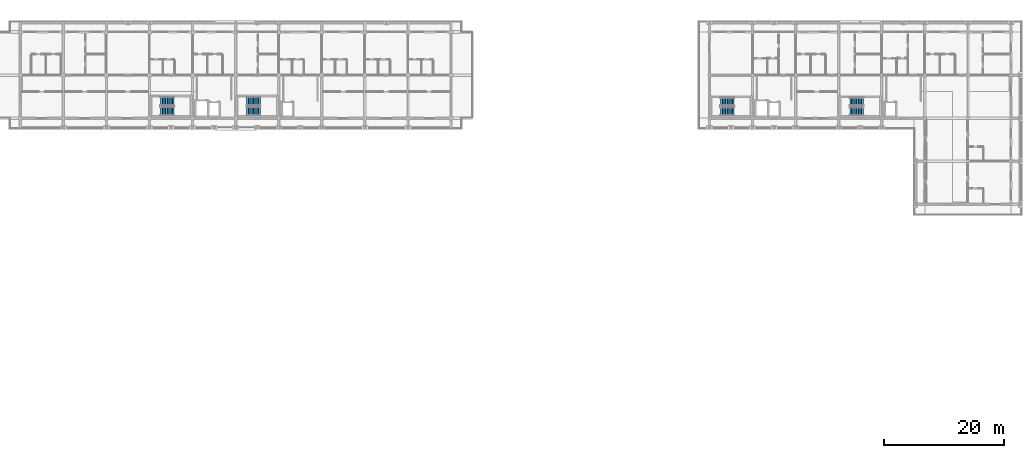
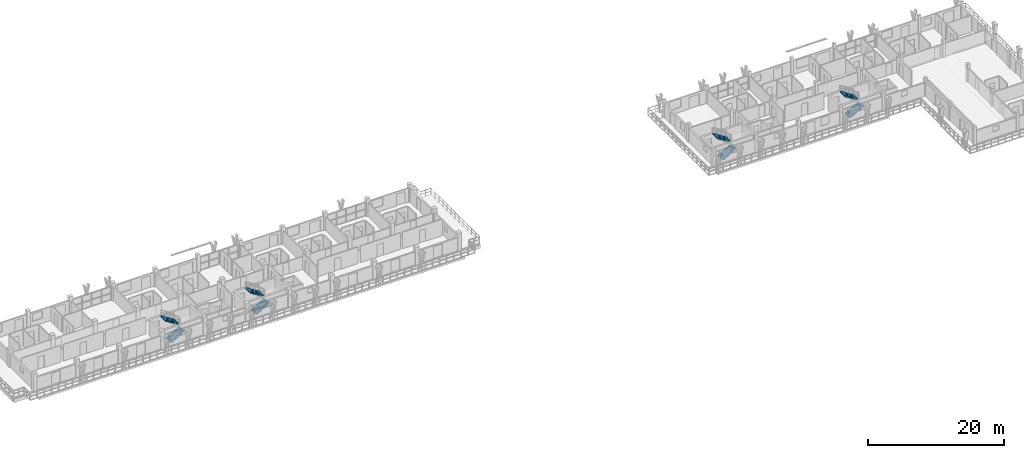
# One storey, part 44 of 56: 8 stair flights, 4 elements without a shape of their own.
"""IFC4 building model written with IfcOpenShell, lengths in metres."""

from ifc_helpers import new_model, si_unit, direction, frame, origin, place, context, subcontext, project, spatial, polyline, outline, extrude, material, type_object, element, aggregate, save


model = new_model("IFC4")

# Units and contexts
model_context = context("Model", 3, precision=1e-05, world=origin(), true_north=direction((0.0, 1.0)))
body_context = subcontext(model_context, "Body", "Model", "MODEL_VIEW")
ifc_project = project(units=[si_unit("LENGTHUNIT", "METRE"), si_unit("AREAUNIT", "SQUARE_METRE"), si_unit("VOLUMEUNIT", "CUBIC_METRE"), si_unit("PLANEANGLEUNIT", "RADIAN"), si_unit("MASSUNIT", "GRAM", prefix="KILO")], contexts=[model_context])

# Site, building, storey
site_placement = place(None, origin())
site = spatial("IfcSite", under=ifc_project, at=site_placement, CompositionType="ELEMENT")
building_placement = place(site_placement, origin())
building = spatial("IfcBuilding", under=site, at=building_placement, Name="Suanplinth Sawtooth Commons", CompositionType="ELEMENT")
storey_placement = place(building_placement, frame((0.0, 0.0, 34.800048828125)))
storey = spatial("IfcBuildingStorey", under=building, at=storey_placement, Name="L10", CompositionType="ELEMENT", Elevation=34.800048828125)

# Stair, stair flights
ifc_material = material(Name="Concrete C40/50", Category="concrete")
stair_type_1 = type_object("IfcStairType", Name="ST-03", PredefinedType="USERDEFINED", material=ifc_material)
stair_1_placement = place(storey_placement, origin())
stair_1 = element("IfcStair", 1, at=stair_1_placement, inside=storey, type_object=stair_type_1, Name="L10 Exit Stair ST-N1", ObjectType="TWO_RETURN_STAIR", PredefinedType="USERDEFINED")
stair_flight_type_1 = type_object("IfcStairFlightType", Name="SF-04", PredefinedType="STRAIGHT", material=ifc_material)
stair_flight_1_placement = place(storey_placement, frame((45.050048828125, 109.175048828125, 0.0), z_axis=(0.0, 0.0, 1.0), x_axis=(1.0, 0.0, 0.0)))
stair_flight_1 = element("IfcStairFlight", 2, at=stair_flight_1_placement, type_object=stair_flight_type_1, Name="ST-03 flight 1", NumberOfRisers=9, NumberOfTreads=8, PredefinedType="STRAIGHT", RiserHeight=0.177777778, TreadLength=0.285, context=body_context, shape_type="SweptSolid", body=[
    extrude(outline(polyline([(0.0, 0.0), (0.0, 0.177734375), (0.284912109375, 0.177734375), (0.284912109375, 0.35546875), (0.570068359375, 0.35546875), (0.570068359375, 0.533447265625), (0.85498046875, 0.533447265625), (0.85498046875, 0.711181640625), (1.139892578125, 0.711181640625), (1.139892578125, 0.888916015625), (1.425048828125, 0.888916015625), (1.425048828125, 1.066650390625), (1.7099609375, 1.066650390625), (1.7099609375, 1.244384765625), (1.9951171875, 1.244384765625), (1.9951171875, 1.422119140625), (2.280029296875, 1.422119140625), (2.280029296875, 1.60009765625), (2.280029296875, 1.233642578125), (0.30224609375, 0.0), (0.0, 0.0)])), frame((0.0, 0.72509765625, 0.0), z_axis=(0.0, -1.0, 0.0), x_axis=(1.0, 0.0, 0.0)), (0.0, 0.0, 1.0), 1.449951171875),
])
stair_flight_2_placement = place(storey_placement, frame((47.330078125, 110.824951171875, 1.599853515625), z_axis=(0.0, 0.0, 1.0), x_axis=(-1.0, 0.0, 0.0)))
stair_flight_2 = element("IfcStairFlight", 3, at=stair_flight_2_placement, type_object=stair_flight_type_1, Name="ST-03 flight 2", NumberOfRisers=9, NumberOfTreads=8, PredefinedType="STRAIGHT", RiserHeight=0.177777778, TreadLength=0.285, context=body_context, shape_type="SweptSolid", body=[
    extrude(outline(polyline([(0.0, 0.0), (0.0, 0.177734375), (0.284912109375, 0.177734375), (0.284912109375, 0.35546875), (0.570068359375, 0.35546875), (0.570068359375, 0.533447265625), (0.85498046875, 0.533447265625), (0.85498046875, 0.711181640625), (1.139892578125, 0.711181640625), (1.139892578125, 0.888916015625), (1.425048828125, 0.888916015625), (1.425048828125, 1.066650390625), (1.7099609375, 1.066650390625), (1.7099609375, 1.244384765625), (1.9951171875, 1.244384765625), (1.9951171875, 1.422119140625), (2.280029296875, 1.422119140625), (2.280029296875, 1.60009765625), (2.280029296875, 1.233642578125), (0.30224609375, 0.0), (0.0, 0.0)])), frame((0.0, 0.72509765625, 0.0), z_axis=(0.0, -1.0, 0.0), x_axis=(1.0, 0.0, 0.0)), (0.0, 0.0, 1.0), 1.449951171875),
])
aggregate(stair_1, [stair_flight_1, stair_flight_2])

stair_2_placement = place(storey_placement, origin())
stair_2 = element("IfcStair", 4, at=stair_2_placement, inside=storey, type_object=stair_type_1, Name="L10 Exit Stair ST-N2", ObjectType="TWO_RETURN_STAIR", PredefinedType="USERDEFINED")
stair_flight_3_placement = place(storey_placement, frame((59.449951171875, 109.175048828125, 0.0), z_axis=(0.0, 0.0, 1.0), x_axis=(1.0, 0.0, 0.0)))
stair_flight_3 = element("IfcStairFlight", 5, at=stair_flight_3_placement, type_object=stair_flight_type_1, Name="ST-03 flight 1", NumberOfRisers=9, NumberOfTreads=8, PredefinedType="STRAIGHT", RiserHeight=0.177777778, TreadLength=0.285, context=body_context, shape_type="SweptSolid", body=[
    extrude(outline(polyline([(0.0, 0.0), (0.0, 0.177734375), (0.284912109375, 0.177734375), (0.284912109375, 0.35546875), (0.570068359375, 0.35546875), (0.570068359375, 0.533447265625), (0.85498046875, 0.533447265625), (0.85498046875, 0.711181640625), (1.139892578125, 0.711181640625), (1.139892578125, 0.888916015625), (1.425048828125, 0.888916015625), (1.425048828125, 1.066650390625), (1.7099609375, 1.066650390625), (1.7099609375, 1.244384765625), (1.9951171875, 1.244384765625), (1.9951171875, 1.422119140625), (2.280029296875, 1.422119140625), (2.280029296875, 1.60009765625), (2.280029296875, 1.233642578125), (0.30224609375, 0.0), (0.0, 0.0)])), frame((0.0, 0.72509765625, 0.0), z_axis=(0.0, -1.0, 0.0), x_axis=(1.0, 0.0, 0.0)), (0.0, 0.0, 1.0), 1.449951171875),
])
stair_flight_4_placement = place(storey_placement, frame((61.72998046875, 110.824951171875, 1.599853515625), z_axis=(0.0, 0.0, 1.0), x_axis=(-1.0, 0.0, 0.0)))
stair_flight_4 = element("IfcStairFlight", 6, at=stair_flight_4_placement, type_object=stair_flight_type_1, Name="ST-03 flight 2", NumberOfRisers=9, NumberOfTreads=8, PredefinedType="STRAIGHT", RiserHeight=0.177777778, TreadLength=0.285, context=body_context, shape_type="SweptSolid", body=[
    extrude(outline(polyline([(0.0, 0.0), (0.0, 0.177734375), (0.284912109375, 0.177734375), (0.284912109375, 0.35546875), (0.570068359375, 0.35546875), (0.570068359375, 0.533447265625), (0.85498046875, 0.533447265625), (0.85498046875, 0.711181640625), (1.139892578125, 0.711181640625), (1.139892578125, 0.888916015625), (1.425048828125, 0.888916015625), (1.425048828125, 1.066650390625), (1.7099609375, 1.066650390625), (1.7099609375, 1.244384765625), (1.9951171875, 1.244384765625), (1.9951171875, 1.422119140625), (2.280029296875, 1.422119140625), (2.280029296875, 1.60009765625), (2.280029296875, 1.233642578125), (0.30224609375, 0.0), (0.0, 0.0)])), frame((0.0, 0.72509765625, 0.0), z_axis=(0.0, -1.0, 0.0), x_axis=(1.0, 0.0, 0.0)), (0.0, 0.0, 1.0), 1.449951171875),
])
aggregate(stair_2, [stair_flight_3, stair_flight_4])

stair_type_2 = type_object("IfcStairType", Name="ST-07", PredefinedType="USERDEFINED", material=ifc_material)
stair_3_placement = place(storey_placement, origin())
stair_3 = element("IfcStair", 7, at=stair_3_placement, inside=storey, type_object=stair_type_2, Name="L10 Exit Stair ST-E1", ObjectType="TWO_RETURN_STAIR", PredefinedType="USERDEFINED")
stair_flight_type_2 = type_object("IfcStairFlightType", Name="SF-08", PredefinedType="STRAIGHT", material=ifc_material)
stair_flight_5_placement = place(storey_placement, frame((138.64990234375, 109.14990234375, 0.0), z_axis=(0.0, 0.0, 1.0), x_axis=(1.0, 0.0, 0.0)))
stair_flight_5 = element("IfcStairFlight", 8, at=stair_flight_5_placement, type_object=stair_flight_type_2, Name="ST-07 flight 1", NumberOfRisers=9, NumberOfTreads=8, PredefinedType="STRAIGHT", RiserHeight=0.177777778, TreadLength=0.285, context=body_context, shape_type="SweptSolid", body=[
    extrude(outline(polyline([(0.0, 0.0), (0.0, 0.177734375), (0.284912109375, 0.177734375), (0.284912109375, 0.35546875), (0.570068359375, 0.35546875), (0.570068359375, 0.533447265625), (0.85498046875, 0.533447265625), (0.85498046875, 0.711181640625), (1.139892578125, 0.711181640625), (1.139892578125, 0.888916015625), (1.425048828125, 0.888916015625), (1.425048828125, 1.066650390625), (1.7099609375, 1.066650390625), (1.7099609375, 1.244384765625), (1.9951171875, 1.244384765625), (1.9951171875, 1.422119140625), (2.280029296875, 1.422119140625), (2.280029296875, 1.60009765625), (2.280029296875, 1.233642578125), (0.30224609375, 0.0), (0.0, 0.0)])), frame((0.0, 0.699951171875, 0.0), z_axis=(0.0, -1.0, 0.0), x_axis=(1.0, 0.0, 0.0)), (0.0, 0.0, 1.0), 1.39990234375),
])
stair_flight_6_placement = place(storey_placement, frame((140.929931640625, 110.75, 1.599853515625), z_axis=(0.0, 0.0, 1.0), x_axis=(-1.0, 0.0, 0.0)))
stair_flight_6 = element("IfcStairFlight", 9, at=stair_flight_6_placement, type_object=stair_flight_type_2, Name="ST-07 flight 2", NumberOfRisers=9, NumberOfTreads=8, PredefinedType="STRAIGHT", RiserHeight=0.177777778, TreadLength=0.285, context=body_context, shape_type="SweptSolid", body=[
    extrude(outline(polyline([(0.0, 0.0), (0.0, 0.177734375), (0.284912109375, 0.177734375), (0.284912109375, 0.35546875), (0.570068359375, 0.35546875), (0.570068359375, 0.533447265625), (0.85498046875, 0.533447265625), (0.85498046875, 0.711181640625), (1.139892578125, 0.711181640625), (1.139892578125, 0.888916015625), (1.425048828125, 0.888916015625), (1.425048828125, 1.066650390625), (1.7099609375, 1.066650390625), (1.7099609375, 1.244384765625), (1.9951171875, 1.244384765625), (1.9951171875, 1.422119140625), (2.280029296875, 1.422119140625), (2.280029296875, 1.60009765625), (2.280029296875, 1.233642578125), (0.30224609375, 0.0), (0.0, 0.0)])), frame((0.0, 0.699951171875, 0.0), z_axis=(0.0, -1.0, 0.0), x_axis=(1.0, 0.0, 0.0)), (0.0, 0.0, 1.0), 1.39990234375),
])
aggregate(stair_3, [stair_flight_5, stair_flight_6])

stair_4_placement = place(storey_placement, origin())
stair_4 = element("IfcStair", 10, at=stair_4_placement, inside=storey, type_object=stair_type_2, Name="L10 Exit Stair ST-E2", ObjectType="TWO_RETURN_STAIR", PredefinedType="USERDEFINED")
stair_flight_7_placement = place(storey_placement, frame((160.25, 109.14990234375, 0.0), z_axis=(0.0, 0.0, 1.0), x_axis=(1.0, 0.0, 0.0)))
stair_flight_7 = element("IfcStairFlight", 11, at=stair_flight_7_placement, type_object=stair_flight_type_2, Name="ST-07 flight 1", NumberOfRisers=9, NumberOfTreads=8, PredefinedType="STRAIGHT", RiserHeight=0.177777778, TreadLength=0.285, context=body_context, shape_type="SweptSolid", body=[
    extrude(outline(polyline([(0.0, 0.0), (0.0, 0.177734375), (0.284912109375, 0.177734375), (0.284912109375, 0.35546875), (0.570068359375, 0.35546875), (0.570068359375, 0.533447265625), (0.85498046875, 0.533447265625), (0.85498046875, 0.711181640625), (1.139892578125, 0.711181640625), (1.139892578125, 0.888916015625), (1.425048828125, 0.888916015625), (1.425048828125, 1.066650390625), (1.7099609375, 1.066650390625), (1.7099609375, 1.244384765625), (1.9951171875, 1.244384765625), (1.9951171875, 1.422119140625), (2.280029296875, 1.422119140625), (2.280029296875, 1.60009765625), (2.280029296875, 1.233642578125), (0.30224609375, 0.0), (0.0, 0.0)])), frame((0.0, 0.699951171875, 0.0), z_axis=(0.0, -1.0, 0.0), x_axis=(1.0, 0.0, 0.0)), (0.0, 0.0, 1.0), 1.39990234375),
])
stair_flight_8_placement = place(storey_placement, frame((162.530029296875, 110.75, 1.599853515625), z_axis=(0.0, 0.0, 1.0), x_axis=(-1.0, 0.0, 0.0)))
stair_flight_8 = element("IfcStairFlight", 12, at=stair_flight_8_placement, type_object=stair_flight_type_2, Name="ST-07 flight 2", NumberOfRisers=9, NumberOfTreads=8, PredefinedType="STRAIGHT", RiserHeight=0.177777778, TreadLength=0.285, context=body_context, shape_type="SweptSolid", body=[
    extrude(outline(polyline([(0.0, 0.0), (0.0, 0.177734375), (0.284912109375, 0.177734375), (0.284912109375, 0.35546875), (0.570068359375, 0.35546875), (0.570068359375, 0.533447265625), (0.85498046875, 0.533447265625), (0.85498046875, 0.711181640625), (1.139892578125, 0.711181640625), (1.139892578125, 0.888916015625), (1.425048828125, 0.888916015625), (1.425048828125, 1.066650390625), (1.7099609375, 1.066650390625), (1.7099609375, 1.244384765625), (1.9951171875, 1.244384765625), (1.9951171875, 1.422119140625), (2.280029296875, 1.422119140625), (2.280029296875, 1.60009765625), (2.280029296875, 1.233642578125), (0.30224609375, 0.0), (0.0, 0.0)])), frame((0.0, 0.699951171875, 0.0), z_axis=(0.0, -1.0, 0.0), x_axis=(1.0, 0.0, 0.0)), (0.0, 0.0, 1.0), 1.39990234375),
])
aggregate(stair_4, [stair_flight_7, stair_flight_8])

save(model, "model.ifc")
